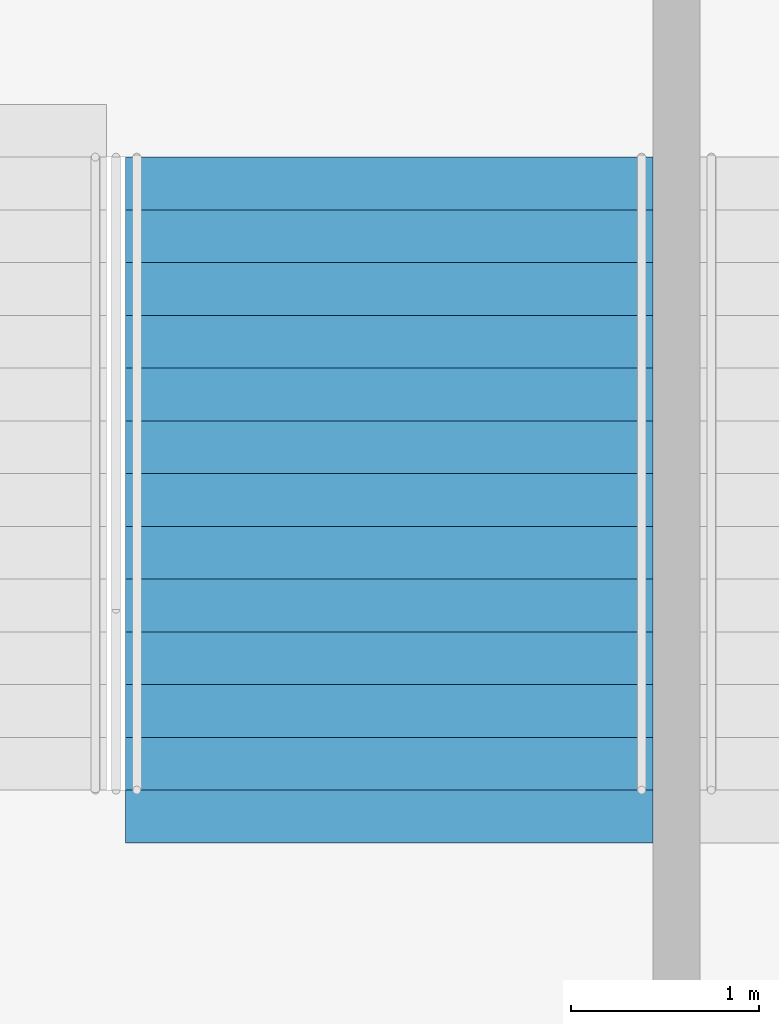
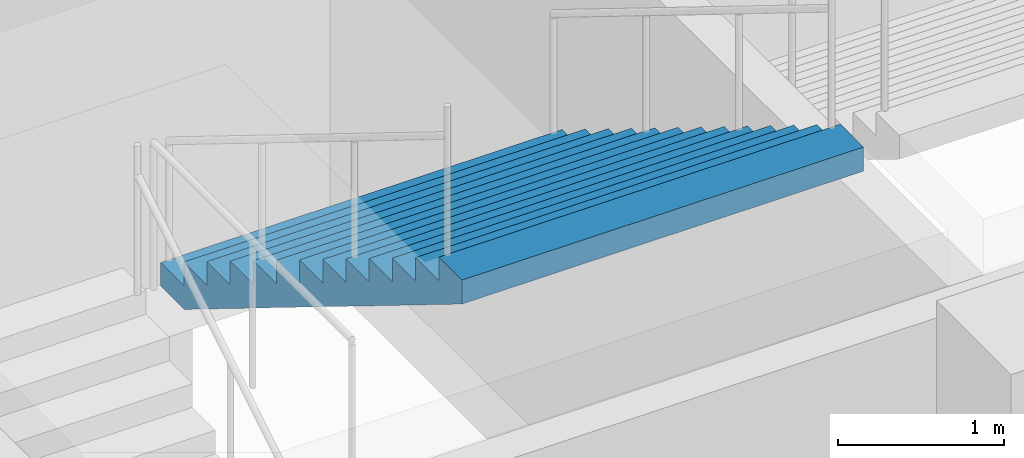
# One storey, part 163 of 199: 1 stair flight, 1 element without a shape of its own.
"""IFC4 building model written with IfcOpenShell, lengths in metres."""

import ifcopenshell
import ifcopenshell.guid

model = None  # the IFC model being written
_history = None  # IfcOwnerHistory: only IFC2X3 demands one
_inside = {}  # id of a spatial element -> (the spatial element, [elements in it])
_under = {}  # id of a project, library or spatial element -> (it, [spatial elements below it])
_declared = {}  # id of a project -> (the project, [libraries it declares])
_typed = {}  # id of a type object -> (the type object, [elements of that type])
_made_of = {}  # id of a material, layer set ... -> (it, [elements and type objects made of it])


def new_model(schema):
    """Start an empty IFC model of exactly this schema.

    Asked for "IFC4X3", IfcOpenShell would pick the latest addendum, in which some entities
    have other attributes; the version numbers below select the first issue.
    IFC2X3 requires an IfcOwnerHistory on every rooted entity: one is made here for all.
    """
    global model, _history
    if schema == "IFC4X3":
        model = ifcopenshell.file(schema_version=(4, 3, 0, 0))
    else:
        model = ifcopenshell.file(schema=schema)
    _inside.clear()
    _under.clear()
    _declared.clear()
    _typed.clear()
    _made_of.clear()
    _history = None
    if model.schema == "IFC2X3":
        org = make("IfcOrganization", Name="unknown")
        user = make(
            "IfcPersonAndOrganization",
            ThePerson=make("IfcPerson", FamilyName="unknown"),
            TheOrganization=org,
        )
        app = make(
            "IfcApplication",
            ApplicationDeveloper=org,
            Version="unknown",
            ApplicationFullName="unknown",
            ApplicationIdentifier="unknown",
        )
        _history = make(
            "IfcOwnerHistory",
            OwningUser=user,
            OwningApplication=app,
            ChangeAction="ADDED",
            CreationDate=0,
        )
    return model


def make(cls, **values):
    """One entity of the class cls with the attributes given. An attribute that is None is left unset."""
    return model.create_entity(
        cls, **{name: value for name, value in values.items() if value is not None}
    )


def rooted(cls, **values):
    """An entity with a GlobalId (a new one), such as an element, a storey or a relation."""
    return make(cls, GlobalId=ifcopenshell.guid.new(), OwnerHistory=_history, **values)


def si_unit(unit_type, name, prefix=None):
    """IfcSIUnit, for example si_unit("LENGTHUNIT", "METRE", prefix="MILLI")."""
    return make("IfcSIUnit", UnitType=unit_type, Prefix=prefix, Name=name)


def assignment(units):
    """IfcUnitAssignment: the units of a project."""
    return None if units is None else make("IfcUnitAssignment", Units=units)


def point(xyz):
    """IfcCartesianPoint."""
    return None if xyz is None else make("IfcCartesianPoint", Coordinates=xyz)


def direction(xyz):
    """IfcDirection."""
    return None if xyz is None else make("IfcDirection", DirectionRatios=xyz)


def frame(location, z_axis=None, x_axis=None):
    """IfcAxis2Placement3D, a coordinate frame: its origin and axes. An axis left out is left unset."""
    return make(
        "IfcAxis2Placement3D",
        Location=point(location),
        Axis=direction(z_axis),
        RefDirection=direction(x_axis),
    )


def origin():
    """The frame at (0, 0, 0) with its axes left unset."""
    return frame((0.0, 0.0, 0.0))


def place(relative_to, where):
    """IfcLocalPlacement: puts the frame where relative to a parent placement (None: the world)."""
    return make(
        "IfcLocalPlacement", PlacementRelTo=relative_to, RelativePlacement=where
    )


def context(
    kind, dimensions, precision=None, world=None, true_north=None, identifier=None
):
    """IfcGeometricRepresentationContext, for example the 3D "Model" context."""
    return make(
        "IfcGeometricRepresentationContext",
        ContextIdentifier=identifier,
        ContextType=kind,
        CoordinateSpaceDimension=dimensions,
        Precision=precision,
        WorldCoordinateSystem=world,
        TrueNorth=true_north,
    )


def subcontext(parent, identifier, kind, view, scale=None):
    """IfcGeometricRepresentationSubContext, for example "Body" below "Model"."""
    return make(
        "IfcGeometricRepresentationSubContext",
        ContextIdentifier=identifier,
        ContextType=kind,
        ParentContext=parent,
        TargetScale=scale,
        TargetView=view,
    )


def project(units=None, contexts=None):
    """IfcProject with its units and contexts."""
    return rooted(
        "IfcProject",
        Name="project",
        RepresentationContexts=contexts,
        UnitsInContext=assignment(units),
    )


def spatial(cls, under=None, at=None, **own):
    """A site, building, storey or space (cls), placed at a placement, below another one or the project."""
    s = rooted(cls, ObjectPlacement=at, **own)
    if under is not None:
        _under.setdefault(under.id(), (under, []))[1].append(s)
    return s


def faces_of(points, faces, orient=None, outer=None):
    """IfcFace entities. A face is a list of loops; a loop is a list of indices into points, from 0.

    orient and outer hold one flag for each loop. By default every Orientation is true, the
    first loop of a face is its IfcFaceOuterBound and the others are IfcFaceBound.
    """
    made = []
    for i, loops in enumerate(faces):
        bounds = []
        for j, loop in enumerate(loops):
            is_outer = j == 0 if outer is None else outer[i][j]
            bounds.append(
                make(
                    "IfcFaceOuterBound" if is_outer else "IfcFaceBound",
                    Bound=make("IfcPolyLoop", Polygon=[points[k] for k in loop]),
                    Orientation=True if orient is None else orient[i][j],
                )
            )
        made.append(make("IfcFace", Bounds=bounds))
    return made


def faceted_brep(points, faces, orient=None, outer=None, voids=None):
    """IfcFacetedBrep: a solid bounded by flat faces; with voids (closed shells), ...WithVoids."""
    shared = [point(p) for p in points]
    hull = make("IfcClosedShell", CfsFaces=faces_of(shared, faces, orient, outer))
    if voids is None:
        return make("IfcFacetedBrep", Outer=hull)
    return make(
        "IfcFacetedBrepWithVoids",
        Outer=hull,
        Voids=[
            make(cls, CfsFaces=faces_of(shared, fs, o, b)) for cls, fs, o, b in voids
        ],
    )


def shape(context_of_items, identifier, shape_type, items):
    """IfcShapeRepresentation: the items that make up one representation, for example the "Body"."""
    return make(
        "IfcShapeRepresentation",
        ContextOfItems=context_of_items,
        RepresentationIdentifier=identifier,
        RepresentationType=shape_type,
        Items=items,
    )


def material(Name=None, Category=None):
    """IfcMaterial."""
    return make("IfcMaterial", Name=Name, Category=Category)


def made_of(thing, what):
    """Note that an element or type object is made of a material, layer set ...; save() writes the relation."""
    if what is not None:
        _made_of.setdefault(what.id(), (what, []))[1].append(thing)
    return thing


def type_object(cls, material=None, **own):
    """A type object (cls), such as IfcWallType, which elements share."""
    return made_of(rooted(cls, **own), material)


def element(
    cls,
    number,
    at=None,
    inside=None,
    cuts=None,
    type_object=None,
    material=None,
    context=None,
    identifier="Body",
    shape_type=None,
    held_by="IfcProductDefinitionShape",
    body=None,
    shapes=None,
    **own,
):
    """One element of the class cls, such as IfcWall. Its Tag is "e" and its number.

    at: its placement. inside: the storey or other place that contains it. cuts: it is an
    opening in that element (IfcRelVoidsElement). A single representation is given by context,
    identifier, shape_type and body (its items); several are given by shapes. held_by: the class
    of the entity that holds the representations. save() writes the other relations.
    """
    e = rooted(cls, Tag="e%d" % number, ObjectPlacement=at, **own)
    if body is not None:
        shapes = [shape(context, identifier, shape_type, body)]
    if shapes is not None:
        e.Representation = make(held_by, Representations=shapes)
    if inside is not None:
        _inside.setdefault(inside.id(), (inside, []))[1].append(e)
    if cuts is not None:
        rooted(
            "IfcRelVoidsElement", RelatingBuildingElement=cuts, RelatedOpeningElement=e
        )
    if type_object is not None:
        _typed.setdefault(type_object.id(), (type_object, []))[1].append(e)
    return made_of(e, material)


def aggregate(whole, parts):
    """IfcRelAggregates: a whole, such as a stair, and the parts it consists of."""
    return rooted("IfcRelAggregates", RelatingObject=whole, RelatedObjects=parts)


def save(model, path):
    """Write the relations noted so far, then the file.

    IfcRelAggregates (storeys below a building ...), IfcRelContainedInSpatialStructure (elements
    in a storey), IfcRelDefinesByType, IfcRelAssociatesMaterial and IfcRelDeclares: one each for
    every whole, place, type object, material and project.
    """
    for whole, parts in _under.values():
        aggregate(whole, parts)
    for where, things in _inside.values():
        rooted(
            "IfcRelContainedInSpatialStructure",
            RelatedElements=things,
            RelatingStructure=where,
        )
    for kind, things in _typed.values():
        rooted("IfcRelDefinesByType", RelatedObjects=things, RelatingType=kind)
    for what, things in _made_of.values():
        rooted("IfcRelAssociatesMaterial", RelatedObjects=things, RelatingMaterial=what)
    for by, libraries in _declared.values():
        rooted("IfcRelDeclares", RelatingContext=by, RelatedDefinitions=libraries)
    model.write(path)


model = new_model("IFC4")

# Units and contexts
model_context = context("Model", 3, precision=1e-05, world=origin(), true_north=direction((0.0, 1.0)))
body_context = subcontext(model_context, "Body", "Model", "MODEL_VIEW")
ifc_project = project(units=[si_unit("LENGTHUNIT", "METRE"), si_unit("AREAUNIT", "SQUARE_METRE"), si_unit("VOLUMEUNIT", "CUBIC_METRE"), si_unit("PLANEANGLEUNIT", "RADIAN"), si_unit("MASSUNIT", "GRAM", prefix="KILO")], contexts=[model_context])

# Site, building, storey
site_placement = place(None, origin())
site = spatial("IfcSite", under=ifc_project, at=site_placement, CompositionType="ELEMENT")
building_placement = place(site_placement, origin())
building = spatial("IfcBuilding", under=site, at=building_placement, Name="Ogive Plaza Stadium", CompositionType="ELEMENT")
storey_placement = place(building_placement, frame((0.0, 0.0, 4.5)))
storey = spatial("IfcBuildingStorey", under=building, at=storey_placement, Name="L01", CompositionType="ELEMENT", Elevation=4.5)

# Stair, stair flight
ifc_material_1 = material(Name="Concrete C40/50", Category="concrete")
stair_type = type_object("IfcStairType", Name="Exit stair", PredefinedType="STRAIGHT_RUN_STAIR", material=ifc_material_1)
stair_placement = place(storey_placement, origin())
stair = element("IfcStair", 1, at=stair_placement, inside=storey, type_object=stair_type, Name="Exit stair ST32B L01 to L02", PredefinedType="STRAIGHT_RUN_STAIR")
ifc_material_2 = material(Name="Concrete C40/50", Category="concrete")
stair_flight_type = type_object("IfcStairFlightType", Name="Exit stair flight", PredefinedType="STRAIGHT", material=ifc_material_2)
stair_flight_placement = place(storey_placement, frame((-35.52490234375, 98.2099609375, 2.25), z_axis=(0.0, 0.0, 1.0), x_axis=(0.0, -1.0, 0.0)))
stair_flight = element("IfcStairFlight", 2, at=stair_flight_placement, type_object=stair_flight_type, Name="ST32B flight 2", NumberOfRisers=13, NumberOfTreads=12, PredefinedType="STRAIGHT", RiserHeight=0.173076923, TreadLength=0.28, context=body_context, shape_type="Brep", body=[
    faceted_brep([(0.28515625, -1.39990234375, 0.0), (3.639892578125, -1.39990234375, 2.07373046875), (3.639892578125, -1.39990234375, 2.25), (3.360107421875, -1.39990234375, 2.25), (3.360107421875, -1.39990234375, 2.076904296875), (3.080078125, -1.39990234375, 2.076904296875), (3.080078125, -1.39990234375, 1.90380859375), (2.800048828125, -1.39990234375, 1.90380859375), (2.800048828125, -1.39990234375, 1.730712890625), (2.52001953125, -1.39990234375, 1.730712890625), (2.52001953125, -1.39990234375, 1.5576171875), (2.239990234375, -1.39990234375, 1.5576171875), (2.239990234375, -1.39990234375, 1.384521484375), (1.9599609375, -1.39990234375, 1.384521484375), (1.9599609375, -1.39990234375, 1.21142578125), (1.679931640625, -1.39990234375, 1.21142578125), (1.679931640625, -1.39990234375, 1.03857421875), (1.39990234375, -1.39990234375, 1.03857421875), (1.39990234375, -1.39990234375, 0.865478515625), (1.1201171875, -1.39990234375, 0.865478515625), (1.1201171875, -1.39990234375, 0.6923828125), (0.840087890625, -1.39990234375, 0.6923828125), (0.840087890625, -1.39990234375, 0.519287109375), (0.56005859375, -1.39990234375, 0.519287109375), (0.56005859375, -1.39990234375, 0.34619140625), (0.280029296875, -1.39990234375, 0.34619140625), (0.280029296875, -1.39990234375, 0.173095703125), (0.0, -1.39990234375, 0.173095703125), (0.0, -1.39990234375, 0.0), (0.0, 1.39990234375, 0.0), (0.0, 1.39990234375, 0.173095703125), (0.280029296875, 1.39990234375, 0.173095703125), (0.280029296875, 1.39990234375, 0.34619140625), (0.56005859375, 1.39990234375, 0.34619140625), (0.56005859375, 1.39990234375, 0.519287109375), (0.840087890625, 1.39990234375, 0.519287109375), (0.840087890625, 1.39990234375, 0.6923828125), (1.1201171875, 1.39990234375, 0.6923828125), (1.1201171875, 1.39990234375, 0.865478515625), (1.39990234375, 1.39990234375, 0.865478515625), (1.39990234375, 1.39990234375, 1.03857421875), (1.679931640625, 1.39990234375, 1.03857421875), (1.679931640625, 1.39990234375, 1.21142578125), (1.9599609375, 1.39990234375, 1.21142578125), (1.9599609375, 1.39990234375, 1.384521484375), (2.239990234375, 1.39990234375, 1.384521484375), (2.239990234375, 1.39990234375, 1.5576171875), (2.52001953125, 1.39990234375, 1.5576171875), (2.52001953125, 1.39990234375, 1.730712890625), (2.800048828125, 1.39990234375, 1.730712890625), (2.800048828125, 1.39990234375, 1.90380859375), (3.080078125, 1.39990234375, 1.90380859375), (3.080078125, 1.39990234375, 2.076904296875), (3.360107421875, 1.39990234375, 2.076904296875), (3.360107421875, 1.39990234375, 2.25), (3.639892578125, 1.39990234375, 2.25), (3.639892578125, 1.39990234375, 2.07373046875), (0.28515625, 1.39990234375, 0.0), (0.28515625, -1.0888671875, 0.0), (3.639892578125, -1.0888671875, 2.07373046875), (0.28515625, -0.77783203125, 0.0), (3.639892578125, -0.77783203125, 2.07373046875), (0.28515625, -0.466796875, 0.0), (3.639892578125, -0.466796875, 2.07373046875), (0.28515625, -0.155517578125, 0.0), (3.639892578125, -0.155517578125, 2.07373046875), (0.28515625, 0.155517578125, 0.0), (3.639892578125, 0.155517578125, 2.07373046875), (0.28515625, 0.466796875, 0.0), (3.639892578125, 0.466796875, 2.07373046875), (0.28515625, 0.77783203125, 0.0), (3.639892578125, 0.77783203125, 2.07373046875), (0.28515625, 1.0888671875, 0.0), (3.639892578125, 1.0888671875, 2.07373046875), (3.639892578125, -1.0888671875, 2.25), (3.639892578125, -0.77783203125, 2.25), (3.639892578125, -0.466796875, 2.25), (3.639892578125, -0.155517578125, 2.25), (3.639892578125, 0.155517578125, 2.25), (3.639892578125, 0.466796875, 2.25), (3.639892578125, 0.77783203125, 2.25), (3.639892578125, 1.0888671875, 2.25), (3.360107421875, -1.0888671875, 2.25), (3.360107421875, -0.77783203125, 2.25), (3.360107421875, -0.466796875, 2.25), (3.360107421875, -0.155517578125, 2.25), (3.360107421875, 0.155517578125, 2.25), (3.360107421875, 0.466796875, 2.25), (3.360107421875, 0.77783203125, 2.25), (3.360107421875, 1.0888671875, 2.25), (3.360107421875, -1.0888671875, 2.076904296875), (3.360107421875, -0.77783203125, 2.076904296875), (3.360107421875, -0.466796875, 2.076904296875), (3.360107421875, -0.155517578125, 2.076904296875), (3.360107421875, 0.155517578125, 2.076904296875), (3.360107421875, 0.466796875, 2.076904296875), (3.360107421875, 0.77783203125, 2.076904296875), (3.360107421875, 1.0888671875, 2.076904296875), (3.080078125, -1.0888671875, 2.076904296875), (3.080078125, -0.77783203125, 2.076904296875), (3.080078125, -0.466796875, 2.076904296875), (3.080078125, -0.155517578125, 2.076904296875), (3.080078125, 0.155517578125, 2.076904296875), (3.080078125, 0.466796875, 2.076904296875), (3.080078125, 0.77783203125, 2.076904296875), (3.080078125, 1.0888671875, 2.076904296875), (3.080078125, -1.0888671875, 1.90380859375), (3.080078125, -0.77783203125, 1.90380859375), (3.080078125, -0.466796875, 1.90380859375), (3.080078125, -0.155517578125, 1.90380859375), (3.080078125, 0.155517578125, 1.90380859375), (3.080078125, 0.466796875, 1.90380859375), (3.080078125, 0.77783203125, 1.90380859375), (3.080078125, 1.0888671875, 1.90380859375), (2.800048828125, -1.0888671875, 1.90380859375), (2.800048828125, -0.77783203125, 1.90380859375), (2.800048828125, -0.466796875, 1.90380859375), (2.800048828125, -0.155517578125, 1.90380859375), (2.800048828125, 0.155517578125, 1.90380859375), (2.800048828125, 0.466796875, 1.90380859375), (2.800048828125, 0.77783203125, 1.90380859375), (2.800048828125, 1.0888671875, 1.90380859375), (2.800048828125, -1.0888671875, 1.730712890625), (2.800048828125, -0.77783203125, 1.730712890625), (2.800048828125, -0.466796875, 1.730712890625), (2.800048828125, -0.155517578125, 1.730712890625), (2.800048828125, 0.155517578125, 1.730712890625), (2.800048828125, 0.466796875, 1.730712890625), (2.800048828125, 0.77783203125, 1.730712890625), (2.800048828125, 1.0888671875, 1.730712890625), (2.52001953125, -1.0888671875, 1.730712890625), (2.52001953125, -0.77783203125, 1.730712890625), (2.52001953125, -0.466796875, 1.730712890625), (2.52001953125, -0.155517578125, 1.730712890625), (2.52001953125, 0.155517578125, 1.730712890625), (2.52001953125, 0.466796875, 1.730712890625), (2.52001953125, 0.77783203125, 1.730712890625), (2.52001953125, 1.0888671875, 1.730712890625), (2.52001953125, -1.0888671875, 1.5576171875), (2.52001953125, -0.77783203125, 1.5576171875), (2.52001953125, -0.466796875, 1.5576171875), (2.52001953125, -0.155517578125, 1.5576171875), (2.52001953125, 0.155517578125, 1.5576171875), (2.52001953125, 0.466796875, 1.5576171875), (2.52001953125, 0.77783203125, 1.5576171875), (2.52001953125, 1.0888671875, 1.5576171875), (2.239990234375, -1.0888671875, 1.5576171875), (2.239990234375, -0.77783203125, 1.5576171875), (2.239990234375, -0.466796875, 1.5576171875), (2.239990234375, -0.155517578125, 1.5576171875), (2.239990234375, 0.155517578125, 1.5576171875), (2.239990234375, 0.466796875, 1.5576171875), (2.239990234375, 0.77783203125, 1.5576171875), (2.239990234375, 1.0888671875, 1.5576171875), (2.239990234375, -1.0888671875, 1.384521484375), (2.239990234375, -0.77783203125, 1.384521484375), (2.239990234375, -0.466796875, 1.384521484375), (2.239990234375, -0.155517578125, 1.384521484375), (2.239990234375, 0.155517578125, 1.384521484375), (2.239990234375, 0.466796875, 1.384521484375), (2.239990234375, 0.77783203125, 1.384521484375), (2.239990234375, 1.0888671875, 1.384521484375), (1.9599609375, -1.0888671875, 1.384521484375), (1.9599609375, -0.77783203125, 1.384521484375), (1.9599609375, -0.466796875, 1.384521484375), (1.9599609375, -0.155517578125, 1.384521484375), (1.9599609375, 0.155517578125, 1.384521484375), (1.9599609375, 0.466796875, 1.384521484375), (1.9599609375, 0.77783203125, 1.384521484375), (1.9599609375, 1.0888671875, 1.384521484375), (1.9599609375, -1.0888671875, 1.21142578125), (1.9599609375, -0.77783203125, 1.21142578125), (1.9599609375, -0.466796875, 1.21142578125), (1.9599609375, -0.155517578125, 1.21142578125), (1.9599609375, 0.155517578125, 1.21142578125), (1.9599609375, 0.466796875, 1.21142578125), (1.9599609375, 0.77783203125, 1.21142578125), (1.9599609375, 1.0888671875, 1.21142578125), (1.679931640625, -1.0888671875, 1.21142578125), (1.679931640625, -0.77783203125, 1.21142578125), (1.679931640625, -0.466796875, 1.21142578125), (1.679931640625, -0.155517578125, 1.21142578125), (1.679931640625, 0.155517578125, 1.21142578125), (1.679931640625, 0.466796875, 1.21142578125), (1.679931640625, 0.77783203125, 1.21142578125), (1.679931640625, 1.0888671875, 1.21142578125), (1.679931640625, -1.0888671875, 1.03857421875), (1.679931640625, -0.77783203125, 1.03857421875), (1.679931640625, -0.466796875, 1.03857421875), (1.679931640625, -0.155517578125, 1.03857421875), (1.679931640625, 0.155517578125, 1.03857421875), (1.679931640625, 0.466796875, 1.03857421875), (1.679931640625, 0.77783203125, 1.03857421875), (1.679931640625, 1.0888671875, 1.03857421875), (1.39990234375, -1.0888671875, 1.03857421875), (1.39990234375, -0.77783203125, 1.03857421875), (1.39990234375, -0.466796875, 1.03857421875), (1.39990234375, -0.155517578125, 1.03857421875), (1.39990234375, 0.155517578125, 1.03857421875), (1.39990234375, 0.466796875, 1.03857421875), (1.39990234375, 0.77783203125, 1.03857421875), (1.39990234375, 1.0888671875, 1.03857421875), (1.39990234375, -1.0888671875, 0.865478515625), (1.39990234375, -0.77783203125, 0.865478515625), (1.39990234375, -0.466796875, 0.865478515625), (1.39990234375, -0.155517578125, 0.865478515625), (1.39990234375, 0.155517578125, 0.865478515625), (1.39990234375, 0.466796875, 0.865478515625), (1.39990234375, 0.77783203125, 0.865478515625), (1.39990234375, 1.0888671875, 0.865478515625), (1.1201171875, -1.0888671875, 0.865478515625), (1.1201171875, -0.77783203125, 0.865478515625), (1.1201171875, -0.466796875, 0.865478515625), (1.1201171875, -0.155517578125, 0.865478515625), (1.1201171875, 0.155517578125, 0.865478515625), (1.1201171875, 0.466796875, 0.865478515625), (1.1201171875, 0.77783203125, 0.865478515625), (1.1201171875, 1.0888671875, 0.865478515625), (1.1201171875, -1.0888671875, 0.6923828125), (1.1201171875, -0.77783203125, 0.6923828125), (1.1201171875, -0.466796875, 0.6923828125), (1.1201171875, -0.155517578125, 0.6923828125), (1.1201171875, 0.155517578125, 0.6923828125), (1.1201171875, 0.466796875, 0.6923828125), (1.1201171875, 0.77783203125, 0.6923828125), (1.1201171875, 1.0888671875, 0.6923828125), (0.840087890625, -1.0888671875, 0.6923828125), (0.840087890625, -0.77783203125, 0.6923828125), (0.840087890625, -0.466796875, 0.6923828125), (0.840087890625, -0.155517578125, 0.6923828125), (0.840087890625, 0.155517578125, 0.6923828125), (0.840087890625, 0.466796875, 0.6923828125), (0.840087890625, 0.77783203125, 0.6923828125), (0.840087890625, 1.0888671875, 0.6923828125), (0.840087890625, -1.0888671875, 0.519287109375), (0.840087890625, -0.77783203125, 0.519287109375), (0.840087890625, -0.466796875, 0.519287109375), (0.840087890625, -0.155517578125, 0.519287109375), (0.840087890625, 0.155517578125, 0.519287109375), (0.840087890625, 0.466796875, 0.519287109375), (0.840087890625, 0.77783203125, 0.519287109375), (0.840087890625, 1.0888671875, 0.519287109375), (0.56005859375, -1.0888671875, 0.519287109375), (0.56005859375, -0.77783203125, 0.519287109375), (0.56005859375, -0.466796875, 0.519287109375), (0.56005859375, -0.155517578125, 0.519287109375), (0.56005859375, 0.155517578125, 0.519287109375), (0.56005859375, 0.466796875, 0.519287109375), (0.56005859375, 0.77783203125, 0.519287109375), (0.56005859375, 1.0888671875, 0.519287109375), (0.56005859375, -1.0888671875, 0.34619140625), (0.56005859375, -0.77783203125, 0.34619140625), (0.56005859375, -0.466796875, 0.34619140625), (0.56005859375, -0.155517578125, 0.34619140625), (0.56005859375, 0.155517578125, 0.34619140625), (0.56005859375, 0.466796875, 0.34619140625), (0.56005859375, 0.77783203125, 0.34619140625), (0.56005859375, 1.0888671875, 0.34619140625), (0.280029296875, -1.0888671875, 0.34619140625), (0.280029296875, -0.77783203125, 0.34619140625), (0.280029296875, -0.466796875, 0.34619140625), (0.280029296875, -0.155517578125, 0.34619140625), (0.280029296875, 0.155517578125, 0.34619140625), (0.280029296875, 0.466796875, 0.34619140625), (0.280029296875, 0.77783203125, 0.34619140625), (0.280029296875, 1.0888671875, 0.34619140625), (0.280029296875, -1.0888671875, 0.173095703125), (0.280029296875, -0.77783203125, 0.173095703125), (0.280029296875, -0.466796875, 0.173095703125), (0.280029296875, -0.155517578125, 0.173095703125), (0.280029296875, 0.155517578125, 0.173095703125), (0.280029296875, 0.466796875, 0.173095703125), (0.280029296875, 0.77783203125, 0.173095703125), (0.280029296875, 1.0888671875, 0.173095703125), (0.0, -1.0888671875, 0.173095703125), (0.0, -0.77783203125, 0.173095703125), (0.0, -0.466796875, 0.173095703125), (0.0, -0.155517578125, 0.173095703125), (0.0, 0.155517578125, 0.173095703125), (0.0, 0.466796875, 0.173095703125), (0.0, 0.77783203125, 0.173095703125), (0.0, 1.0888671875, 0.173095703125), (0.0, -1.0888671875, 0.0), (0.0, -0.77783203125, 0.0), (0.0, -0.466796875, 0.0), (0.0, -0.155517578125, 0.0), (0.0, 0.155517578125, 0.0), (0.0, 0.466796875, 0.0), (0.0, 0.77783203125, 0.0), (0.0, 1.0888671875, 0.0)], [[[0, 1, 2, 3, 4, 5, 6, 7, 8, 9, 10, 11, 12, 13, 14, 15, 16, 17, 18, 19, 20, 21, 22, 23, 24, 25, 26, 27, 28]], [[29, 30, 31, 32, 33, 34, 35, 36, 37, 38, 39, 40, 41, 42, 43, 44, 45, 46, 47, 48, 49, 50, 51, 52, 53, 54, 55, 56, 57]], [[0, 58, 59, 1]], [[58, 60, 61, 59]], [[60, 62, 63, 61]], [[62, 64, 65, 63]], [[64, 66, 67, 65]], [[66, 68, 69, 67]], [[68, 70, 71, 69]], [[70, 72, 73, 71]], [[72, 57, 56, 73]], [[1, 59, 74, 2]], [[59, 61, 75, 74]], [[61, 63, 76, 75]], [[63, 65, 77, 76]], [[65, 67, 78, 77]], [[67, 69, 79, 78]], [[69, 71, 80, 79]], [[71, 73, 81, 80]], [[73, 56, 55, 81]], [[2, 74, 82, 3]], [[74, 75, 83, 82]], [[75, 76, 84, 83]], [[76, 77, 85, 84]], [[77, 78, 86, 85]], [[78, 79, 87, 86]], [[79, 80, 88, 87]], [[80, 81, 89, 88]], [[81, 55, 54, 89]], [[3, 82, 90, 4]], [[82, 83, 91, 90]], [[83, 84, 92, 91]], [[84, 85, 93, 92]], [[85, 86, 94, 93]], [[86, 87, 95, 94]], [[87, 88, 96, 95]], [[88, 89, 97, 96]], [[89, 54, 53, 97]], [[4, 90, 98, 5]], [[90, 91, 99, 98]], [[91, 92, 100, 99]], [[92, 93, 101, 100]], [[93, 94, 102, 101]], [[94, 95, 103, 102]], [[95, 96, 104, 103]], [[96, 97, 105, 104]], [[97, 53, 52, 105]], [[5, 98, 106, 6]], [[98, 99, 107, 106]], [[99, 100, 108, 107]], [[100, 101, 109, 108]], [[101, 102, 110, 109]], [[102, 103, 111, 110]], [[103, 104, 112, 111]], [[104, 105, 113, 112]], [[105, 52, 51, 113]], [[6, 106, 114, 7]], [[106, 107, 115, 114]], [[107, 108, 116, 115]], [[108, 109, 117, 116]], [[109, 110, 118, 117]], [[110, 111, 119, 118]], [[111, 112, 120, 119]], [[112, 113, 121, 120]], [[113, 51, 50, 121]], [[7, 114, 122, 8]], [[114, 115, 123, 122]], [[115, 116, 124, 123]], [[116, 117, 125, 124]], [[117, 118, 126, 125]], [[118, 119, 127, 126]], [[119, 120, 128, 127]], [[120, 121, 129, 128]], [[121, 50, 49, 129]], [[8, 122, 130, 9]], [[122, 123, 131, 130]], [[123, 124, 132, 131]], [[124, 125, 133, 132]], [[125, 126, 134, 133]], [[126, 127, 135, 134]], [[127, 128, 136, 135]], [[128, 129, 137, 136]], [[129, 49, 48, 137]], [[9, 130, 138, 10]], [[130, 131, 139, 138]], [[131, 132, 140, 139]], [[132, 133, 141, 140]], [[133, 134, 142, 141]], [[134, 135, 143, 142]], [[135, 136, 144, 143]], [[136, 137, 145, 144]], [[137, 48, 47, 145]], [[10, 138, 146, 11]], [[138, 139, 147, 146]], [[139, 140, 148, 147]], [[140, 141, 149, 148]], [[141, 142, 150, 149]], [[142, 143, 151, 150]], [[143, 144, 152, 151]], [[144, 145, 153, 152]], [[145, 47, 46, 153]], [[11, 146, 154, 12]], [[146, 147, 155, 154]], [[147, 148, 156, 155]], [[148, 149, 157, 156]], [[149, 150, 158, 157]], [[150, 151, 159, 158]], [[151, 152, 160, 159]], [[152, 153, 161, 160]], [[153, 46, 45, 161]], [[12, 154, 162, 13]], [[154, 155, 163, 162]], [[155, 156, 164, 163]], [[156, 157, 165, 164]], [[157, 158, 166, 165]], [[158, 159, 167, 166]], [[159, 160, 168, 167]], [[160, 161, 169, 168]], [[161, 45, 44, 169]], [[13, 162, 170, 14]], [[162, 163, 171, 170]], [[163, 164, 172, 171]], [[164, 165, 173, 172]], [[165, 166, 174, 173]], [[166, 167, 175, 174]], [[167, 168, 176, 175]], [[168, 169, 177, 176]], [[169, 44, 43, 177]], [[14, 170, 178, 15]], [[170, 171, 179, 178]], [[171, 172, 180, 179]], [[172, 173, 181, 180]], [[173, 174, 182, 181]], [[174, 175, 183, 182]], [[175, 176, 184, 183]], [[176, 177, 185, 184]], [[177, 43, 42, 185]], [[15, 178, 186, 16]], [[178, 179, 187, 186]], [[179, 180, 188, 187]], [[180, 181, 189, 188]], [[181, 182, 190, 189]], [[182, 183, 191, 190]], [[183, 184, 192, 191]], [[184, 185, 193, 192]], [[185, 42, 41, 193]], [[16, 186, 194, 17]], [[186, 187, 195, 194]], [[187, 188, 196, 195]], [[188, 189, 197, 196]], [[189, 190, 198, 197]], [[190, 191, 199, 198]], [[191, 192, 200, 199]], [[192, 193, 201, 200]], [[193, 41, 40, 201]], [[17, 194, 202, 18]], [[194, 195, 203, 202]], [[195, 196, 204, 203]], [[196, 197, 205, 204]], [[197, 198, 206, 205]], [[198, 199, 207, 206]], [[199, 200, 208, 207]], [[200, 201, 209, 208]], [[201, 40, 39, 209]], [[18, 202, 210, 19]], [[202, 203, 211, 210]], [[203, 204, 212, 211]], [[204, 205, 213, 212]], [[205, 206, 214, 213]], [[206, 207, 215, 214]], [[207, 208, 216, 215]], [[208, 209, 217, 216]], [[209, 39, 38, 217]], [[19, 210, 218, 20]], [[210, 211, 219, 218]], [[211, 212, 220, 219]], [[212, 213, 221, 220]], [[213, 214, 222, 221]], [[214, 215, 223, 222]], [[215, 216, 224, 223]], [[216, 217, 225, 224]], [[217, 38, 37, 225]], [[20, 218, 226, 21]], [[218, 219, 227, 226]], [[219, 220, 228, 227]], [[220, 221, 229, 228]], [[221, 222, 230, 229]], [[222, 223, 231, 230]], [[223, 224, 232, 231]], [[224, 225, 233, 232]], [[225, 37, 36, 233]], [[21, 226, 234, 22]], [[226, 227, 235, 234]], [[227, 228, 236, 235]], [[228, 229, 237, 236]], [[229, 230, 238, 237]], [[230, 231, 239, 238]], [[231, 232, 240, 239]], [[232, 233, 241, 240]], [[233, 36, 35, 241]], [[22, 234, 242, 23]], [[234, 235, 243, 242]], [[235, 236, 244, 243]], [[236, 237, 245, 244]], [[237, 238, 246, 245]], [[238, 239, 247, 246]], [[239, 240, 248, 247]], [[240, 241, 249, 248]], [[241, 35, 34, 249]], [[23, 242, 250, 24]], [[242, 243, 251, 250]], [[243, 244, 252, 251]], [[244, 245, 253, 252]], [[245, 246, 254, 253]], [[246, 247, 255, 254]], [[247, 248, 256, 255]], [[248, 249, 257, 256]], [[249, 34, 33, 257]], [[24, 250, 258, 25]], [[250, 251, 259, 258]], [[251, 252, 260, 259]], [[252, 253, 261, 260]], [[253, 254, 262, 261]], [[254, 255, 263, 262]], [[255, 256, 264, 263]], [[256, 257, 265, 264]], [[257, 33, 32, 265]], [[25, 258, 266, 26]], [[258, 259, 267, 266]], [[259, 260, 268, 267]], [[260, 261, 269, 268]], [[261, 262, 270, 269]], [[262, 263, 271, 270]], [[263, 264, 272, 271]], [[264, 265, 273, 272]], [[265, 32, 31, 273]], [[26, 266, 274, 27]], [[266, 267, 275, 274]], [[267, 268, 276, 275]], [[268, 269, 277, 276]], [[269, 270, 278, 277]], [[270, 271, 279, 278]], [[271, 272, 280, 279]], [[272, 273, 281, 280]], [[273, 31, 30, 281]], [[27, 274, 282, 28]], [[274, 275, 283, 282]], [[275, 276, 284, 283]], [[276, 277, 285, 284]], [[277, 278, 286, 285]], [[278, 279, 287, 286]], [[279, 280, 288, 287]], [[280, 281, 289, 288]], [[281, 30, 29, 289]], [[28, 282, 58, 0]], [[282, 283, 60, 58]], [[283, 284, 62, 60]], [[284, 285, 64, 62]], [[285, 286, 66, 64]], [[286, 287, 68, 66]], [[287, 288, 70, 68]], [[288, 289, 72, 70]], [[289, 29, 57, 72]]]),
])
aggregate(stair, [stair_flight])

save(model, "model.ifc")
